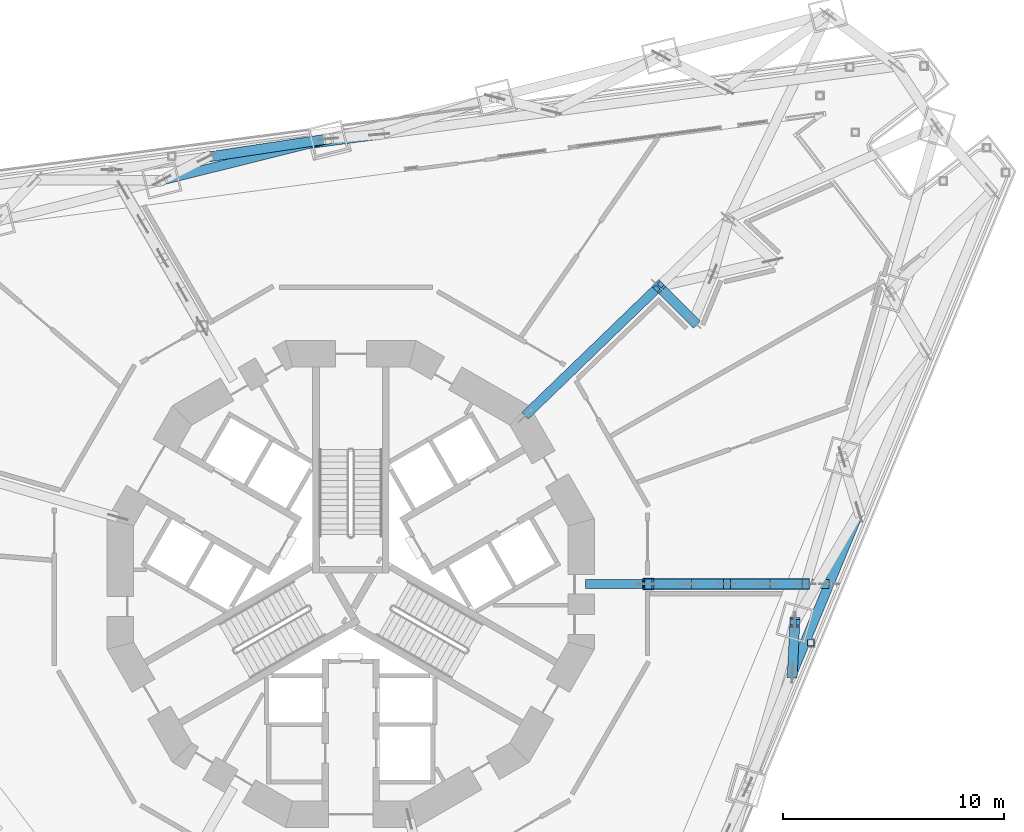
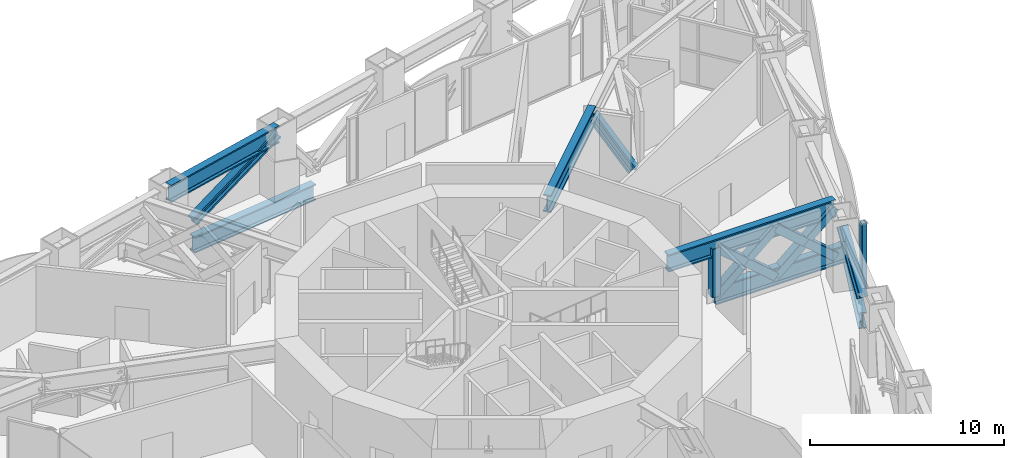
# One storey, part 7 of 31: 16 members, 1 beam.
"""IFC4 building model written with IfcOpenShell, lengths in metres."""

from ifc_helpers import new_model, si_unit, direction, frame, origin, origin_2d, place, context, subcontext, project, spatial, hollow_rectangle, i_section, extrude, material, material_profile, profile_set, type_object, element, save


model = new_model("IFC4")

# Units and contexts
model_context = context("Model", 3, precision=1e-05, world=origin(), true_north=direction((0.0, 1.0)))
body_context = subcontext(model_context, "Body", "Model", "MODEL_VIEW")
ifc_project = project(units=[si_unit("LENGTHUNIT", "METRE"), si_unit("AREAUNIT", "SQUARE_METRE"), si_unit("VOLUMEUNIT", "CUBIC_METRE"), si_unit("PLANEANGLEUNIT", "RADIAN"), si_unit("MASSUNIT", "GRAM", prefix="KILO")], contexts=[model_context])

# Site, building, storey
site_placement = place(None, origin())
site = spatial("IfcSite", under=ifc_project, at=site_placement, CompositionType="ELEMENT")
building_placement = place(site_placement, origin())
building = spatial("IfcBuilding", under=site, at=building_placement, Name="Trine Commons Tower", CompositionType="ELEMENT")
storey_placement = place(building_placement, frame((0.0, 0.0, 82.800048828125)))
storey = spatial("IfcBuildingStorey", under=building, at=storey_placement, Name="L20", CompositionType="ELEMENT", Elevation=82.800048828125)

# Beam
ifc_material_1 = material(Name="Structural steel ASTM A992 Gr50", Category="steel")
ifc_material_profile_1 = material_profile(ifc_material_1, i_section(OverallWidth=0.42529296875, OverallDepth=1.09228515625, WebThickness=0.04541015625, FlangeThickness=0.08203125, FilletRadius=0.030029296875, at=origin_2d()), Name="W40X593")
ifc_profile_set_1 = profile_set([ifc_material_profile_1], Name="Structural steel ASTM A992 Gr50")
beam_type = type_object("IfcBeamType", Name="Steel beam W40X593, ASTM A992 Gr50", PredefinedType="BEAM", material=ifc_profile_set_1)
beam_placement = place(storey_placement, frame((87.875732421875, 70.105712890625, 3.603759765625), z_axis=(0.719352375684, 0.694645348072, 0.0), x_axis=(-0.694645348072, 0.719352375684, 0.0)))
element("IfcBeam", 1, at=beam_placement, inside=storey, type_object=beam_type, Name="Transfer truss girder T2-UR-03", PredefinedType="BEAM", context=body_context, shape_type="SweptSolid", body=[
    extrude(i_section(OverallWidth=0.42529296875, OverallDepth=1.09228515625, WebThickness=0.04541015625, FlangeThickness=0.08203125, FilletRadius=0.030029296875, at=origin_2d()), origin(), (0.0, 0.0, 1.0), 8.399169921875),
])

# Members
ifc_material_2 = material(Name="Structural steel ASTM A500 Gr C", Category="steel")
ifc_material_profile_2 = material_profile(ifc_material_2, hollow_rectangle(XDim=0.508056640625, YDim=0.508056640625, WallThickness=0.020751953125, InnerFilletRadius=0.01025390625, OuterFilletRadius=0.031005859375, at=origin_2d()), Name="HSS20X20X7/8")
ifc_profile_set_2 = profile_set([ifc_material_profile_2], Name="Structural steel ASTM A500 Gr C")
member_type_1 = type_object("IfcMemberType", Name="Steel brace HSS20X20X7/8, ASTM A500 Gr C", PredefinedType="BRACE", material=ifc_profile_set_2)
member_1_placement = place(storey_placement, frame((93.449951171875, 62.5, 0.546142578125), z_axis=(0.758411041981, 0.0, 0.651776565551), x_axis=(0.0, 1.0, 0.0)))
element("IfcMember", 2, at=member_1_placement, inside=storey, type_object=member_type_1, Name="Outrigger truss brace T2-OB-09", PredefinedType="BRACE", context=body_context, shape_type="SweptSolid", body=[
    extrude(hollow_rectangle(XDim=0.508056640625, YDim=0.508056640625, WallThickness=0.020751953125, InnerFilletRadius=0.01025390625, OuterFilletRadius=0.031005859375, at=origin_2d()), origin(), (0.0, 0.0, 1.0), 4.691162109375),
])
member_2_placement = place(storey_placement, frame((93.449951171875, 62.5, 3.603759765625), z_axis=(0.758433148861, 0.0, -0.651750840973), x_axis=(0.0, 1.0, 0.0)))
element("IfcMember", 3, at=member_2_placement, inside=storey, type_object=member_type_1, Name="Outrigger truss brace T2-OB-10a", PredefinedType="BRACE", context=body_context, shape_type="SweptSolid", body=[
    extrude(hollow_rectangle(XDim=0.508056640625, YDim=0.508056640625, WallThickness=0.020751953125, InnerFilletRadius=0.01025390625, OuterFilletRadius=0.031005859375, at=origin_2d()), origin(), (0.0, 0.0, 1.0), 2.345703125),
])
member_3_placement = place(storey_placement, frame((95.22900390625, 62.5, 2.074951171875), z_axis=(0.758388932483, 0.0, -0.65180229141), x_axis=(0.0, 1.0, 0.0)))
element("IfcMember", 4, at=member_3_placement, inside=storey, type_object=member_type_1, Name="Outrigger truss brace T2-OB-10b", PredefinedType="BRACE", context=body_context, shape_type="SweptSolid", body=[
    extrude(hollow_rectangle(XDim=0.508056640625, YDim=0.508056640625, WallThickness=0.020751953125, InnerFilletRadius=0.01025390625, OuterFilletRadius=0.031005859375, at=origin_2d()), origin(), (0.0, 0.0, 1.0), 2.345458984375),
])
member_4_placement = place(storey_placement, frame((97.0078125, 62.5, 0.546142578125), z_axis=(0.758411041981, 0.0, 0.651776565551), x_axis=(0.0, 1.0, 0.0)))
element("IfcMember", 5, at=member_4_placement, inside=storey, type_object=member_type_1, Name="Outrigger truss brace T2-OB-11", PredefinedType="BRACE", context=body_context, shape_type="SweptSolid", body=[
    extrude(hollow_rectangle(XDim=0.508056640625, YDim=0.508056640625, WallThickness=0.020751953125, InnerFilletRadius=0.01025390625, OuterFilletRadius=0.031005859375, at=origin_2d()), origin(), (0.0, 0.0, 1.0), 4.691162109375),
])
member_5_placement = place(storey_placement, frame((97.0078125, 62.5, 3.603759765625), z_axis=(0.758388932483, 0.0, -0.65180229141), x_axis=(0.0, 1.0, 0.0)))
element("IfcMember", 6, at=member_5_placement, inside=storey, type_object=member_type_1, Name="Outrigger truss brace T2-OB-12a", PredefinedType="BRACE", context=body_context, shape_type="SweptSolid", body=[
    extrude(hollow_rectangle(XDim=0.508056640625, YDim=0.508056640625, WallThickness=0.020751953125, InnerFilletRadius=0.01025390625, OuterFilletRadius=0.031005859375, at=origin_2d()), origin(), (0.0, 0.0, 1.0), 2.345458984375),
])
member_6_placement = place(storey_placement, frame((98.78662109375, 62.5, 2.074951171875), z_axis=(0.758433148861, 0.0, -0.651750840973), x_axis=(0.0, 1.0, 0.0)))
element("IfcMember", 7, at=member_6_placement, inside=storey, type_object=member_type_1, Name="Outrigger truss brace T2-OB-12b", PredefinedType="BRACE", context=body_context, shape_type="SweptSolid", body=[
    extrude(hollow_rectangle(XDim=0.508056640625, YDim=0.508056640625, WallThickness=0.020751953125, InnerFilletRadius=0.01025390625, OuterFilletRadius=0.031005859375, at=origin_2d()), origin(), (0.0, 0.0, 1.0), 2.345703125),
])
ifc_material_profile_3 = material_profile(ifc_material_1, i_section(OverallWidth=0.44775390625, OverallDepth=0.54931640625, WebThickness=0.072021484375, FlangeThickness=0.11474609375, FilletRadius=0.01513671875, at=origin_2d()), Name="W14X665")
ifc_profile_set_3 = profile_set([ifc_material_profile_3], Name="Structural steel ASTM A992 Gr50")
member_type_2 = type_object("IfcMemberType", Name="Steel brace W14X665, ASTM A992 Gr50", PredefinedType="BRACE", material=ifc_profile_set_3)
member_7_placement = place(storey_placement, frame((73.495849609375, 81.79296875, 0.504638671875), z_axis=(0.863243066298, 0.130170353775, 0.487716195637), x_axis=(-0.149106551719, 0.988821134601, 0.0)))
element("IfcMember", 8, at=member_7_placement, inside=storey, type_object=member_type_2, Name="Belt truss brace T2-DG-26", PredefinedType="BRACE", context=body_context, shape_type="SweptSolid", body=[
    extrude(i_section(OverallWidth=0.44775390625, OverallDepth=0.54931640625, WebThickness=0.072021484375, FlangeThickness=0.11474609375, FilletRadius=0.01513671875, at=origin_2d()), origin(), (0.0, 0.0, 1.0), 6.354248046875),
])
member_8_placement = place(storey_placement, frame((99.960205078125, 58.486328125, 0.504638671875), z_axis=(0.029054312884, 0.59456897804, 0.803519494011), x_axis=(-0.99880818241, 0.048807937371, 0.0)))
element("IfcMember", 9, at=member_8_placement, inside=storey, type_object=member_type_2, Name="Belt truss brace T2-DG-39", PredefinedType="BRACE", context=body_context, shape_type="SweptSolid", body=[
    extrude(i_section(OverallWidth=0.44775390625, OverallDepth=0.54931640625, WebThickness=0.072021484375, FlangeThickness=0.11474609375, FilletRadius=0.01513671875, at=origin_2d()), origin(), (0.0, 0.0, 1.0), 3.85693359375),
])
member_9_placement = place(storey_placement, frame((95.48828125, 74.384521484375, 0.504638671875), z_axis=(-0.412572307185, 0.408660149445, 0.814113612219), x_axis=(-0.70373030626, -0.710467209694, 0.0)))
element("IfcMember", 10, at=member_9_placement, inside=storey, type_object=member_type_2, Name="Belt truss brace T2-DG-53", PredefinedType="BRACE", context=body_context, shape_type="SweptSolid", body=[
    extrude(i_section(OverallWidth=0.44775390625, OverallDepth=0.54931640625, WebThickness=0.072021484375, FlangeThickness=0.11474609375, FilletRadius=0.01513671875, at=origin_2d()), origin(), (0.0, 0.0, 1.0), 3.806640625),
])
ifc_material_profile_4 = material_profile(ifc_material_1, i_section(OverallWidth=0.43798828125, OverallDepth=1.009521484375, WebThickness=0.041015625, FlangeThickness=0.073974609375, FilletRadius=0.024169921875, at=origin_2d()), Name="W36X529")
ifc_profile_set_4 = profile_set([ifc_material_profile_4], Name="Structural steel ASTM A992 Gr50")
member_type_3 = type_object("IfcMemberType", Name="Steel chord W36X529, ASTM A992 Gr50", PredefinedType="CHORD", material=ifc_profile_set_4)
member_10_placement = place(storey_placement, frame((73.495849609375, 81.79296875, -0.954833984375), z_axis=(0.991446788058, 0.130511556763, 0.0), x_axis=(-0.130511556763, 0.991446788058, 0.0)))
element("IfcMember", 11, at=member_10_placement, inside=storey, type_object=member_type_3, Name="Belt truss chord T2-LC-11", PredefinedType="CHORD", context=body_context, shape_type="SweptSolid", body=[
    extrude(i_section(OverallWidth=0.43798828125, OverallDepth=1.009521484375, WebThickness=0.041015625, FlangeThickness=0.073974609375, FilletRadius=0.024169921875, at=origin_2d()), origin(), (0.0, 0.0, 1.0), 7.8603515625),
])
member_11_placement = place(storey_placement, frame((102.96826171875, 65.74853515625, -0.954833984375), z_axis=(-0.382678219689, -0.923881691655, 0.0), x_axis=(0.923881691655, -0.382678219689, 0.0)))
element("IfcMember", 12, at=member_11_placement, inside=storey, type_object=member_type_3, Name="Belt truss chord T2-LC-17", PredefinedType="CHORD", context=body_context, shape_type="SweptSolid", body=[
    extrude(i_section(OverallWidth=0.43798828125, OverallDepth=1.009521484375, WebThickness=0.041015625, FlangeThickness=0.073974609375, FilletRadius=0.024169921875, at=origin_2d()), origin(), (0.0, 0.0, 1.0), 7.860595703125),
])
ifc_material_profile_5 = material_profile(ifc_material_1, i_section(OverallWidth=0.42529296875, OverallDepth=1.09228515625, WebThickness=0.04541015625, FlangeThickness=0.08203125, FilletRadius=0.030029296875, at=origin_2d()), Name="W40X593")
ifc_profile_set_5 = profile_set([ifc_material_profile_5], Name="Structural steel ASTM A992 Gr50")
member_type_4 = type_object("IfcMemberType", Name="Steel chord W40X593, ASTM A992 Gr50", PredefinedType="CHORD", material=ifc_profile_set_5)
member_12_placement = place(storey_placement, frame((71.453857421875, 80.743408203125, 3.603759765625), z_axis=(0.970297801936, 0.24191357043, 0.0), x_axis=(-0.24191357043, 0.970297801936, 0.0)))
element("IfcMember", 13, at=member_12_placement, inside=storey, type_object=member_type_4, Name="Belt truss chord T2-UC-11", PredefinedType="CHORD", context=body_context, shape_type="SweptSolid", body=[
    extrude(i_section(OverallWidth=0.42529296875, OverallDepth=1.09228515625, WebThickness=0.04541015625, FlangeThickness=0.08203125, FilletRadius=0.030029296875, at=origin_2d()), origin(), (0.0, 0.0, 1.0), 7.7578125),
])
member_13_placement = place(storey_placement, frame((93.449951171875, 62.5, 0.546142578125), z_axis=(1.0, 0.0, 0.0), x_axis=(0.0, 1.0, 0.0)))
element("IfcMember", 14, at=member_13_placement, inside=storey, type_object=member_type_4, Name="Outrigger truss chord T2-OL-03", PredefinedType="CHORD", context=body_context, shape_type="SweptSolid", body=[
    extrude(i_section(OverallWidth=0.42529296875, OverallDepth=1.09228515625, WebThickness=0.04541015625, FlangeThickness=0.08203125, FilletRadius=0.030029296875, at=origin_2d()), origin(), (0.0, 0.0, 1.0), 8.1728515625),
])
member_14_placement = place(storey_placement, frame((90.611572265625, 62.5, 3.603759765625), z_axis=(1.0, 0.0, 0.0), x_axis=(0.0, 1.0, 0.0)))
element("IfcMember", 15, at=member_14_placement, inside=storey, type_object=member_type_4, Name="Outrigger truss chord T2-OU-03", PredefinedType="CHORD", context=body_context, shape_type="SweptSolid", body=[
    extrude(i_section(OverallWidth=0.42529296875, OverallDepth=1.09228515625, WebThickness=0.04541015625, FlangeThickness=0.08203125, FilletRadius=0.030029296875, at=origin_2d()), origin(), (0.0, 0.0, 1.0), 9.9541015625),
])
ifc_material_profile_6 = material_profile(ifc_material_2, hollow_rectangle(XDim=0.3046875, YDim=0.3046875, WallThickness=0.014892578125, InnerFilletRadius=0.00732421875, OuterFilletRadius=0.022216796875, at=origin_2d()), Name="HSS12X12X5/8")
ifc_profile_set_6 = profile_set([ifc_material_profile_6], Name="Structural steel ASTM A500 Gr C")
member_type_5 = type_object("IfcMemberType", Name="Steel post HSS12X12X5/8, ASTM A500 Gr C", PredefinedType="POST", material=ifc_profile_set_6)
member_15_placement = place(storey_placement, frame((100.790283203125, 59.83740234375, 0.0), z_axis=(0.0, 0.0, 1.0), x_axis=(1.0, 0.0, 0.0)))
element("IfcMember", 16, at=member_15_placement, inside=storey, type_object=member_type_5, Name="Roof post SP2-63", PredefinedType="POST", context=body_context, shape_type="SweptSolid", body=[
    extrude(hollow_rectangle(XDim=0.3046875, YDim=0.3046875, WallThickness=0.014892578125, InnerFilletRadius=0.00732421875, OuterFilletRadius=0.022216796875, at=origin_2d()), origin(), (0.0, 0.0, 1.0), 4.14990234375),
])
ifc_material_profile_7 = material_profile(ifc_material_2, hollow_rectangle(XDim=0.508056640625, YDim=0.508056640625, WallThickness=0.020751953125, InnerFilletRadius=0.01025390625, OuterFilletRadius=0.031005859375, at=origin_2d()), Name="HSS20X20X7/8")
ifc_profile_set_7 = profile_set([ifc_material_profile_7], Name="Structural steel ASTM A500 Gr C")
member_type_6 = type_object("IfcMemberType", Name="Steel post HSS20X20X7/8, ASTM A500 Gr C", PredefinedType="POST", material=ifc_profile_set_7)
member_16_placement = place(storey_placement, frame((93.449951171875, 62.5, 0.546142578125), z_axis=(0.0, 0.0, 1.0), x_axis=(1.0, 0.0, 0.0)))
element("IfcMember", 17, at=member_16_placement, inside=storey, type_object=member_type_6, Name="Outrigger truss post T2-OP-03", PredefinedType="POST", context=body_context, shape_type="SweptSolid", body=[
    extrude(hollow_rectangle(XDim=0.508056640625, YDim=0.508056640625, WallThickness=0.020751953125, InnerFilletRadius=0.01025390625, OuterFilletRadius=0.031005859375, at=origin_2d()), origin(), (0.0, 0.0, 1.0), 3.0576171875),
])

save(model, "model.ifc")
